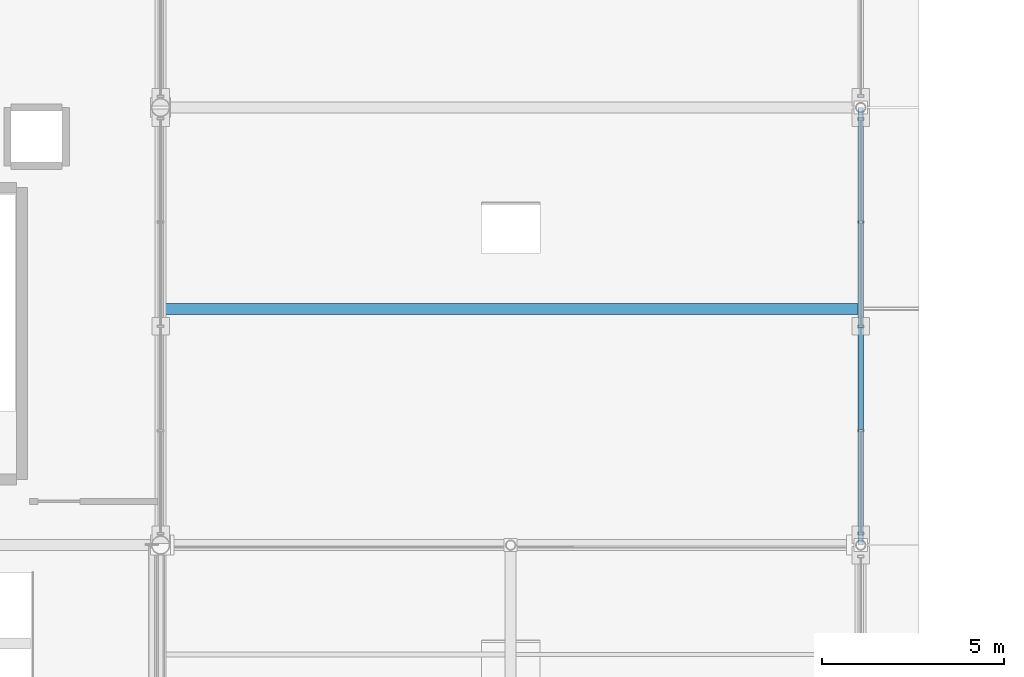
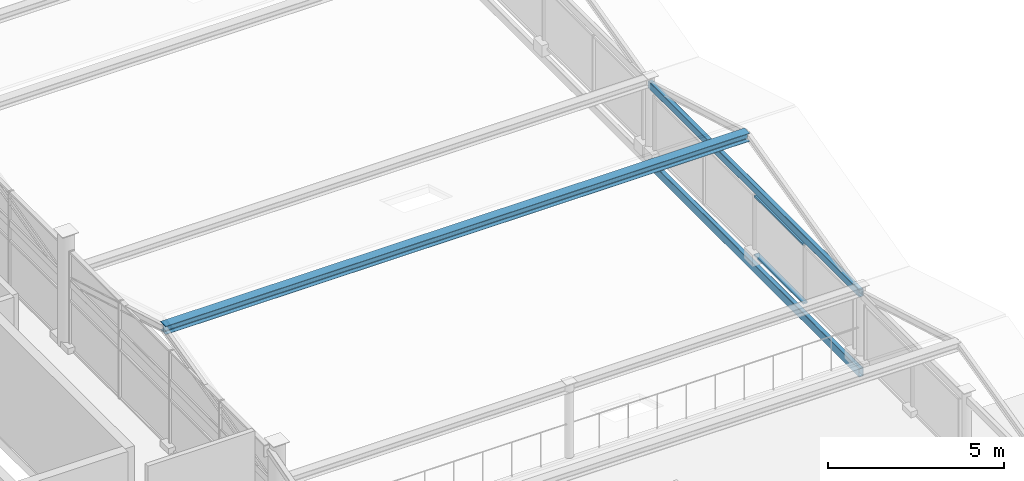
# One storey, part 49 of 117: 3 beams, 2 members, 1 element without a shape of its own.
"""IFC4 building model written with IfcOpenShell, lengths in metres."""

from ifc_helpers import new_model, si_unit, direction, frame, origin, origin_2d, place, context, subcontext, project, spatial, hollow_rectangle, i_section, extrude, material, material_profile, profile_set, type_object, element, aggregate, save


model = new_model("IFC4")

# Units and contexts
model_context = context("Model", 3, precision=1e-05, world=origin(), true_north=direction((0.0, 1.0)))
body_context = subcontext(model_context, "Body", "Model", "MODEL_VIEW")
ifc_project = project(units=[si_unit("LENGTHUNIT", "METRE"), si_unit("AREAUNIT", "SQUARE_METRE"), si_unit("VOLUMEUNIT", "CUBIC_METRE"), si_unit("PLANEANGLEUNIT", "RADIAN"), si_unit("MASSUNIT", "GRAM", prefix="KILO")], contexts=[model_context])

# Site, building, storey
site_placement = place(None, origin())
site = spatial("IfcSite", under=ifc_project, at=site_placement, CompositionType="ELEMENT")
building_placement = place(site_placement, origin())
building = spatial("IfcBuilding", under=site, at=building_placement, Name="Merenkruunu Market Hall", CompositionType="ELEMENT")
storey_placement = place(building_placement, frame((0.0, 0.0, 10.199951171875)))
storey = spatial("IfcBuildingStorey", under=building, at=storey_placement, Name="L02", CompositionType="ELEMENT", Elevation=10.199951171875)

# Curtain wall, members
ifc_material_1 = material(Name="Powder-coated aluminium", Category="aluminium")
curtain_wall_type = type_object("IfcCurtainWallType", Name="Clerestory Curtain Band CL02", PredefinedType="USERDEFINED", material=ifc_material_1)
curtain_wall_placement = place(storey_placement, origin())
curtain_wall = element("IfcCurtainWall", 1, at=curtain_wall_placement, inside=storey, type_object=curtain_wall_type, Name="CW-L02-CWM04-161", ObjectType="CLERESTORY_BAND", PredefinedType="USERDEFINED")
ifc_material_profile_1 = material_profile(ifc_material_1, hollow_rectangle(XDim=0.06005859375, YDim=0.14990234375, WallThickness=0.00390625, at=origin_2d()), Name="ALU 60x150x4")
ifc_profile_set_1 = profile_set([ifc_material_profile_1], Name="Powder-coated aluminium")
member_type = type_object("IfcMemberType", Name="Curtain Wall Transom CWT04", PredefinedType="USERDEFINED", material=ifc_profile_set_1)
member_1_placement = place(storey_placement, frame((76.800048828125, 57.56494140625, 0.030029296875), z_axis=(0.0, -1.0, 0.0), x_axis=(0.0, 0.0, 1.0)))
member_1 = element("IfcMember", 2, at=member_1_placement, type_object=member_type, Name="CL02 transom 3.1", ObjectType="TRANSOM", PredefinedType="USERDEFINED", context=body_context, shape_type="SweptSolid", body=[
    extrude(hollow_rectangle(XDim=0.06005859375, YDim=0.14990234375, WallThickness=0.00390625, at=origin_2d()), origin(), (0.0, 0.0, 1.0), 2.7900390625),
])
member_2_placement = place(storey_placement, frame((76.800048828125, 57.56494140625, 2.070068359375), z_axis=(0.0, -1.0, 0.0), x_axis=(0.0, 0.0, 1.0)))
member_2 = element("IfcMember", 3, at=member_2_placement, type_object=member_type, Name="CL02 transom 3.2", ObjectType="TRANSOM", PredefinedType="USERDEFINED", context=body_context, shape_type="SweptSolid", body=[
    extrude(hollow_rectangle(XDim=0.06005859375, YDim=0.14990234375, WallThickness=0.00390625, at=origin_2d()), origin(), (0.0, 0.0, 1.0), 2.7900390625),
])
aggregate(curtain_wall, [member_1, member_2])

# Beams
ifc_material_2 = material(Name="Steel S355J2", Category="steel")
ifc_material_profile_2 = material_profile(ifc_material_2, hollow_rectangle(XDim=0.14990234375, YDim=0.300048828125, WallThickness=0.012451171875, InnerFilletRadius=0.012451171875, OuterFilletRadius=0.02490234375, at=origin_2d()), Name="RHS 300x150x12.5")
ifc_profile_set_2 = profile_set([ifc_material_profile_2], Name="Steel S355J2")
beam_type_1 = type_object("IfcBeamType", Name="Perimeter Spandrel Beam SP03", PredefinedType="SPANDREL", material=ifc_profile_set_2)
beam_1_placement = place(storey_placement, frame((76.800048828125, 51.60009765625, -0.4599609375), z_axis=(0.0, 1.0, 0.0), x_axis=(-1.0, 0.0, 0.0)))
element("IfcBeam", 4, at=beam_1_placement, inside=storey, type_object=beam_type_1, Name="BM-L02-SP03-1225", PredefinedType="SPANDREL", context=body_context, shape_type="SweptSolid", body=[
    extrude(hollow_rectangle(XDim=0.14990234375, YDim=0.300048828125, WallThickness=0.012451171875, InnerFilletRadius=0.012451171875, OuterFilletRadius=0.02490234375, at=origin_2d()), origin(), (0.0, 0.0, 1.0), 12.0),
])
ifc_material_profile_3 = material_profile(ifc_material_2, hollow_rectangle(XDim=0.14990234375, YDim=0.25, WallThickness=0.010009765625, InnerFilletRadius=0.010009765625, OuterFilletRadius=0.02001953125, at=origin_2d()), Name="RHS 250x150x10")
ifc_profile_set_3 = profile_set([ifc_material_profile_3], Name="Steel S355J2")
beam_type_2 = type_object("IfcBeamType", Name="Perimeter Spandrel Beam SP04", PredefinedType="SPANDREL", material=ifc_profile_set_3)
beam_2_placement = place(storey_placement, frame((76.800048828125, 51.60009765625, 2.295166015625), z_axis=(0.0, 1.0, 0.0), x_axis=(-1.0, 0.0, 0.0)))
element("IfcBeam", 5, at=beam_2_placement, inside=storey, type_object=beam_type_2, Name="BM-L02-SP04-1279", PredefinedType="SPANDREL", context=body_context, shape_type="SweptSolid", body=[
    extrude(hollow_rectangle(XDim=0.14990234375, YDim=0.25, WallThickness=0.010009765625, InnerFilletRadius=0.010009765625, OuterFilletRadius=0.02001953125, at=origin_2d()), origin(), (0.0, 0.0, 1.0), 12.0),
])
ifc_material_profile_4 = material_profile(ifc_material_2, i_section(OverallWidth=0.300048828125, OverallDepth=0.2900390625, WebThickness=0.008544921875, FlangeThickness=0.013916015625, FilletRadius=0.027099609375, at=origin_2d()), Name="HEA 300")
ifc_profile_set_4 = profile_set([ifc_material_profile_4], Name="Steel S355J2")
beam_type_3 = type_object("IfcBeamType", Name="Primary Floor Girder B09", PredefinedType="BEAM", material=ifc_profile_set_4)
beam_3_placement = place(storey_placement, frame((57.60009765625, 58.080078125, 3.875), z_axis=(1.0, 0.0, 0.0), x_axis=(0.0, 1.0, 0.0)))
element("IfcBeam", 6, at=beam_3_placement, inside=storey, type_object=beam_type_3, Name="BM-L02-B09-1301", PredefinedType="BEAM", context=body_context, shape_type="SweptSolid", body=[
    extrude(i_section(OverallWidth=0.300048828125, OverallDepth=0.2900390625, WebThickness=0.008544921875, FlangeThickness=0.013916015625, FilletRadius=0.027099609375, at=origin_2d()), origin(), (0.0, 0.0, 1.0), 19.199951171875),
])

save(model, "model.ifc")
